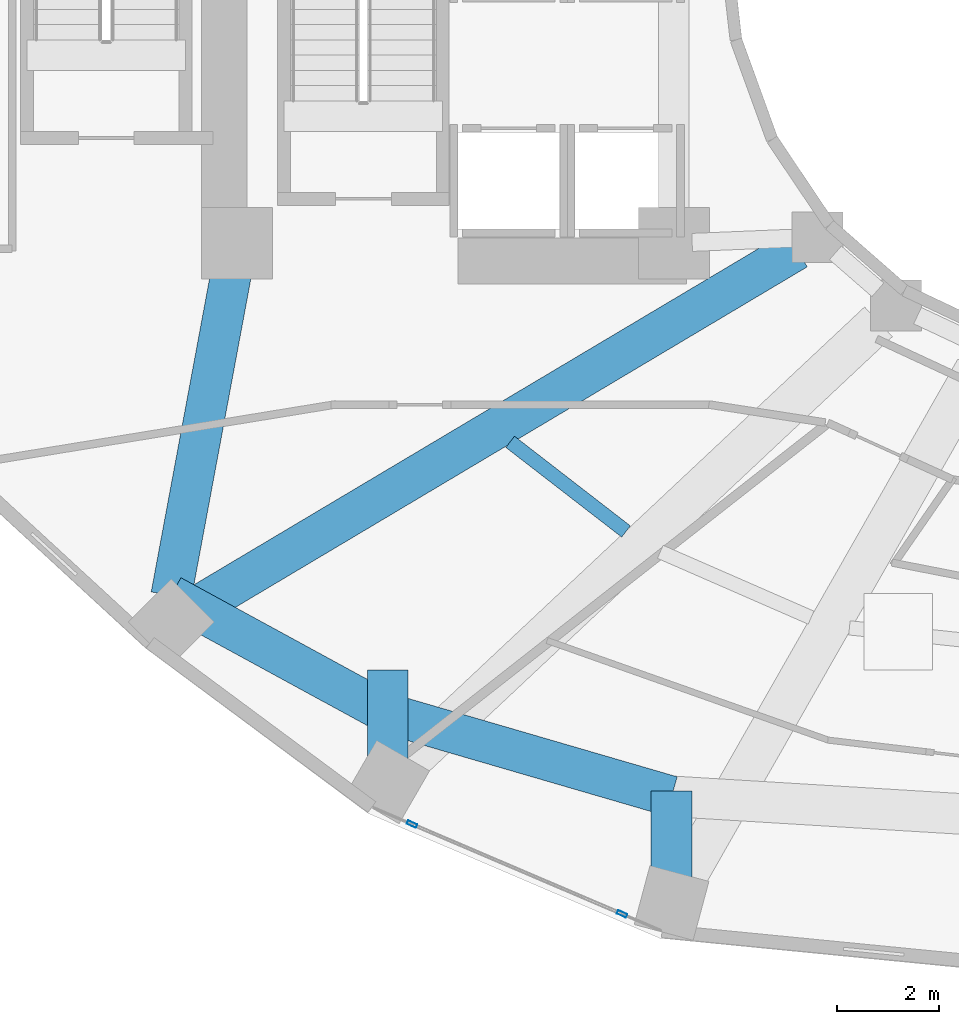
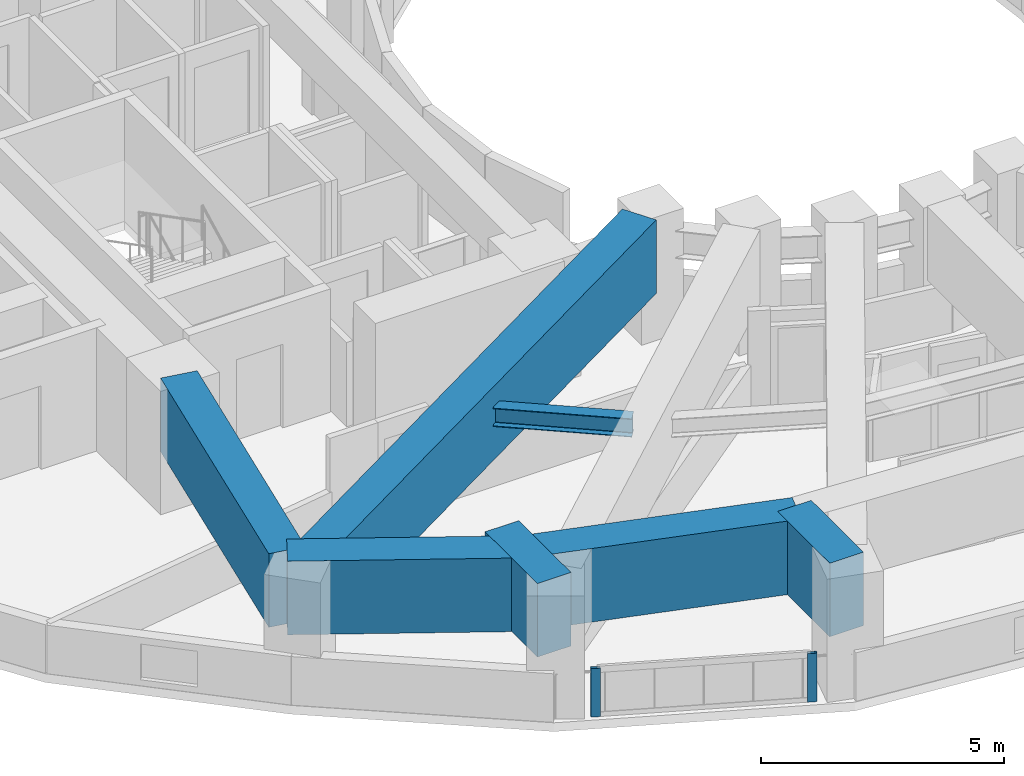
# One storey, part 2 of 16: 7 beams, 2 members, 1 element without a shape of its own.
"""IFC4 building model written with IfcOpenShell, lengths in metres."""

from ifc_helpers import new_model, si_unit, direction, frame, origin, origin_2d, place, context, subcontext, project, spatial, rectangle, hollow_rectangle, i_section, extrude, material, layer, layer_set, material_profile, profile_set, type_object, element, aggregate, save


model = new_model("IFC4")

# Units and contexts
model_context = context("Model", 3, precision=1e-05, world=origin(), true_north=direction((0.0, 1.0)))
body_context = subcontext(model_context, "Body", "Model", "MODEL_VIEW")
ifc_project = project(units=[si_unit("LENGTHUNIT", "METRE"), si_unit("AREAUNIT", "SQUARE_METRE"), si_unit("VOLUMEUNIT", "CUBIC_METRE"), si_unit("PLANEANGLEUNIT", "RADIAN"), si_unit("MASSUNIT", "GRAM", prefix="KILO")], contexts=[model_context])

# Site, building, storey
site_placement = place(None, origin())
site = spatial("IfcSite", under=ifc_project, at=site_placement, CompositionType="ELEMENT")
building_placement = place(site_placement, origin())
building = spatial("IfcBuilding", under=site, at=building_placement, Name="Solvane Sanctuary Tower", CompositionType="ELEMENT")
storey_placement = place(building_placement, frame((0.0, 0.0, 33.800048828125)))
storey = spatial("IfcBuildingStorey", under=building, at=storey_placement, Name="L09", CompositionType="ELEMENT", Elevation=33.800048828125)

# Beams
ifc_material_1 = material(Name="Steel ASTM A992 Grade 50", Category="steel")
ifc_material_profile_1 = material_profile(ifc_material_1, i_section(OverallWidth=0.280029296875, OverallDepth=0.462890625, WebThickness=0.0107421875, FlangeThickness=0.017333984375, FilletRadius=0.013916015625, at=origin_2d()), Name="W18X76")
ifc_profile_set_1 = profile_set([ifc_material_profile_1], Name="Steel ASTM A992 Grade 50")
beam_type_1 = type_object("IfcBeamType", Name="Beam B-SEC-JOIST W18X76", PredefinedType="JOIST", material=ifc_profile_set_1)
beam_1_placement = place(storey_placement, frame((20.678955078125, 12.990478515625, 2.366455078125), z_axis=(0.790895585788, -0.611951119274, 0.0), x_axis=(0.611951119274, 0.790895585788, 0.0)))
element("IfcBeam", 1, at=beam_1_placement, inside=storey, type_object=beam_type_1, Name="L09 Secondary Circumferential Joist 08-09", PredefinedType="JOIST", context=body_context, shape_type="SweptSolid", body=[
    extrude(i_section(OverallWidth=0.280029296875, OverallDepth=0.462890625, WebThickness=0.0107421875, FlangeThickness=0.017333984375, FilletRadius=0.013916015625, at=origin_2d()), origin(), (0.0, 0.0, 1.0), 2.8828125),
])
ifc_material_2 = material(Name="Concrete C70/85", Category="concrete")
ifc_material_profile_2 = material_profile(ifc_material_2, rectangle(XDim=0.800048828125, YDim=1.85009765625, at=origin_2d()), Name="RC800X1850")
ifc_profile_set_2 = profile_set([ifc_material_profile_2], Name="Concrete C70/85")
beam_type_2 = type_object("IfcBeamType", Name="Beam B-XFER-BLK RC800X1850", PredefinedType="BEAM", material=ifc_profile_set_2)
beam_2_placement = place(storey_placement, frame((26.3212890625, 16.777587890625, 2.175048828125), z_axis=(-0.859229976907, -0.511589529588, 0.0), x_axis=(0.511589529588, -0.859229976907, 0.0)))
element("IfcBeam", 2, at=beam_2_placement, inside=storey, type_object=beam_type_2, Name="L09 Block-Shift Radial Transfer Girder 08A", PredefinedType="BEAM", context=body_context, shape_type="SweptSolid", body=[
    extrude(rectangle(XDim=0.800048828125, YDim=1.85009765625, at=origin_2d()), origin(), (0.0, 0.0, 1.0), 13.850341796875),
])
for number, where, z_axis, x_axis, name in (
    (3, (18.272705078125, 6.345947265625, 2.175048828125), (0.0, 1.0, 0.0), (-1.0, 0.0, 0.0), "L09 Block-Shift Transfer Tie 09B"),
    (4, (23.85498046875, 3.96630859375, 2.175048828125), (0.0, 1.0, 0.0), (-1.0, 0.0, 0.0), "L09 Block-Shift Transfer Tie 10B"),
):
    element("IfcBeam", number, at=place(storey_placement, frame(where, z_axis=z_axis, x_axis=x_axis)), inside=storey, type_object=beam_type_2, Name=name, PredefinedType="BEAM", context=body_context, shape_type="SweptSolid", body=[
        extrude(rectangle(XDim=0.800048828125, YDim=1.85009765625, at=origin_2d()), origin(), (0.0, 0.0, 1.0), 2.14990234375),
    ])
beam_3_placement = place(storey_placement, frame((15.234130859375, 16.546142578125, 2.175048828125), z_axis=(-0.183103823442, -0.983093581426, 0.0), x_axis=(0.983093581426, -0.183103823442, 0.0)))
element("IfcBeam", 5, at=beam_3_placement, inside=storey, type_object=beam_type_2, Name="L09 Perimeter Step Transfer Ring CW1-NTC08", PredefinedType="BEAM", context=body_context, shape_type="SweptSolid", body=[
    extrude(rectangle(XDim=0.800048828125, YDim=1.85009765625, at=origin_2d()), origin(), (0.0, 0.0, 1.0), 6.69482421875),
])
beam_4_placement = place(storey_placement, frame((14.00830078125, 9.964599609375, 2.175048828125), z_axis=(0.878074180076, -0.478524538853, 0.0), x_axis=(0.478524538853, 0.878074180076, 0.0)))
element("IfcBeam", 6, at=beam_4_placement, inside=storey, type_object=beam_type_2, Name="L09 Perimeter Step Transfer Ring NTC08-NTC09", PredefinedType="BEAM", context=body_context, shape_type="SweptSolid", body=[
    extrude(rectangle(XDim=0.800048828125, YDim=1.85009765625, at=origin_2d()), origin(), (0.0, 0.0, 1.0), 4.8564453125),
])
beam_5_placement = place(storey_placement, frame((18.272705078125, 7.640625, 2.175048828125), z_axis=(0.960089774527, -0.279692017849, 0.0), x_axis=(0.279692017849, 0.960089774527, 0.0)))
element("IfcBeam", 7, at=beam_5_placement, inside=storey, type_object=beam_type_2, Name="L09 Perimeter Step Transfer Ring NTC09-NTC10", PredefinedType="BEAM", context=body_context, shape_type="SweptSolid", body=[
    extrude(rectangle(XDim=0.800048828125, YDim=1.85009765625, at=origin_2d()), origin(), (0.0, 0.0, 1.0), 5.814208984375),
])

# Curtain wall, members
ifc_material_3 = material(Name="Anodised Aluminium 6063-T6", Category="aluminium")
ifc_layer = layer(ifc_material_3, 0.169921875, Name="Anodised Aluminium 6063-T6")
ifc_layer_set = layer_set([ifc_layer], Name="Anodised Aluminium 6063-T6")
curtain_wall_type = type_object("IfcCurtainWallType", Name="Curtain Wall CW-FRIT-Z1", PredefinedType="NOTDEFINED", material=ifc_layer_set)
curtain_wall_placement = place(storey_placement, origin())
curtain_wall = element("IfcCurtainWall", 8, at=curtain_wall_placement, inside=storey, type_object=curtain_wall_type, Name="L09 CW-FRIT-Z1 Facade Run 16", PredefinedType="NOTDEFINED")
ifc_material_profile_3 = material_profile(ifc_material_3, hollow_rectangle(XDim=0.074951171875, YDim=0.199951171875, WallThickness=0.00390625, at=origin_2d()), Name="ALU200X75X4")
ifc_profile_set_3 = profile_set([ifc_material_profile_3], Name="Anodised Aluminium 6063-T6")
member_type = type_object("IfcMemberType", Name="Member M-CW-MUL-1 ALU200X75X4", PredefinedType="MULLION", material=ifc_profile_set_3)
member_1_placement = place(storey_placement, frame((18.74658203125, 5.466064453125, 0.0), z_axis=(0.0, 0.0, 1.0), x_axis=(0.392820282466, 0.919615259597, 0.0)))
member_1 = element("IfcMember", 9, at=member_1_placement, type_object=member_type, Name="CW-FRIT-Z1 mullion 1", PredefinedType="MULLION", context=body_context, shape_type="SweptSolid", body=[
    extrude(hollow_rectangle(XDim=0.074951171875, YDim=0.199951171875, WallThickness=0.00390625, at=origin_2d()), origin(), (0.0, 0.0, 1.0), 1.219970703125),
])
member_2_placement = place(storey_placement, frame((22.879638671875, 3.70068359375, 0.0), z_axis=(0.0, 0.0, 1.0), x_axis=(0.392820282466, 0.919615259597, 0.0)))
member_2 = element("IfcMember", 10, at=member_2_placement, type_object=member_type, Name="CW-FRIT-Z1 mullion 2", PredefinedType="MULLION", context=body_context, shape_type="SweptSolid", body=[
    extrude(hollow_rectangle(XDim=0.074951171875, YDim=0.199951171875, WallThickness=0.00390625, at=origin_2d()), origin(), (0.0, 0.0, 1.0), 1.219970703125),
])
aggregate(curtain_wall, [member_1, member_2])

save(model, "model.ifc")
